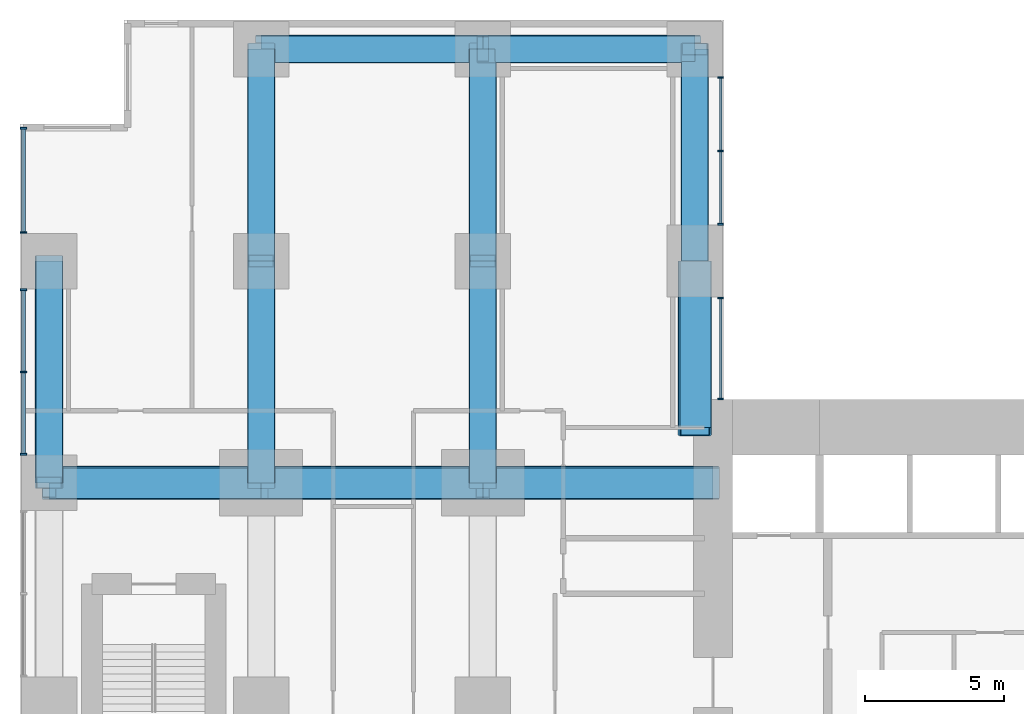
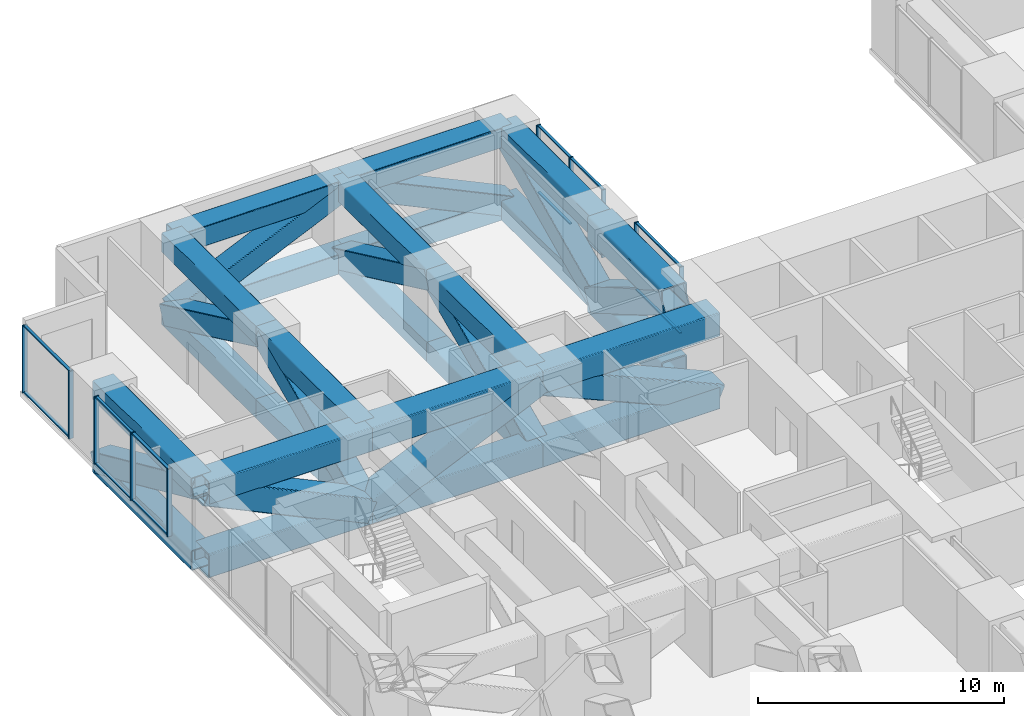
# One storey, part 5 of 15: 58 members, 4 elements without a shape of their own.
"""IFC4 building model written with IfcOpenShell, lengths in metres."""

from ifc_helpers import new_model, si_unit, direction, frame, origin, origin_2d, place, context, subcontext, project, spatial, rectangle, hollow_rectangle, extrude, material, layer, layer_set, material_profile, profile_set, type_object, element, aggregate, save


model = new_model("IFC4")

# Units and contexts
model_context = context("Model", 3, precision=1e-05, world=origin(), true_north=direction((0.0, 1.0)))
body_context = subcontext(model_context, "Body", "Model", "MODEL_VIEW")
ifc_project = project(units=[si_unit("LENGTHUNIT", "METRE"), si_unit("AREAUNIT", "SQUARE_METRE"), si_unit("VOLUMEUNIT", "CUBIC_METRE"), si_unit("PLANEANGLEUNIT", "RADIAN"), si_unit("MASSUNIT", "GRAM", prefix="KILO")], contexts=[model_context])

# Site, building, storey
site_placement = place(None, origin())
site = spatial("IfcSite", under=ifc_project, at=site_placement, CompositionType="ELEMENT")
building_placement = place(site_placement, origin())
building = spatial("IfcBuilding", under=site, at=building_placement, Name="Cleftline Residences", CompositionType="ELEMENT")
storey_placement = place(building_placement, frame((0.0, 0.0, 132.199951171875)))
storey = spatial("IfcBuildingStorey", under=building, at=storey_placement, Name="L34", CompositionType="ELEMENT", Elevation=132.199951171875)

# Members
ifc_material_1 = material(Name="Steel S355", Category="steel")
ifc_material_profile_1 = material_profile(ifc_material_1, hollow_rectangle(XDim=1.0, YDim=1.0, WallThickness=0.0400390625, InnerFilletRadius=0.0400390625, OuterFilletRadius=0.06005859375, at=origin_2d()))
ifc_profile_set_1 = profile_set([ifc_material_profile_1], Name="Steel S355")
member_type_1 = type_object("IfcMemberType", Name="BRACE BOX 1000X1000X40", PredefinedType="BRACE", material=ifc_profile_set_1)
for number, where, z_axis, x_axis, name in (
    (1, (0.35009765625, 32.0, 2.85009765625), (0.0, 0.91191733938, -0.410373934525), (0.0, 0.410373934525, 0.91191733938), "Belt truss diagonal"),
    (2, (8.0, 32.0, -0.75), (0.0, 0.91191733938, 0.410373934525), (0.0, -0.410373934525, 0.91191733938), "Belt truss diagonal"),
):
    element("IfcMember", number, at=place(storey_placement, frame(where, z_axis=z_axis, x_axis=x_axis)), inside=storey, type_object=member_type_1, Name=name, PredefinedType="BRACE", context=body_context, shape_type="SweptSolid", body=[
        extrude(hollow_rectangle(XDim=1.0, YDim=1.0, WallThickness=0.0400390625, InnerFilletRadius=0.0400390625, OuterFilletRadius=0.06005859375, at=origin_2d()), origin(), (0.0, 0.0, 1.0), 8.772705078125),
    ])
member_1_placement = place(storey_placement, frame((8.0, 40.0, 2.85009765625), z_axis=(0.0, 0.904812157874, -0.425810942746), x_axis=(0.0, 0.425810942746, 0.904812157874)))
element("IfcMember", 3, at=member_1_placement, inside=storey, type_object=member_type_1, Name="Belt truss diagonal", PredefinedType="BRACE", context=body_context, shape_type="SweptSolid", body=[
    extrude(hollow_rectangle(XDim=1.0, YDim=1.0, WallThickness=0.0400390625, InnerFilletRadius=0.0400390625, OuterFilletRadius=0.06005859375, at=origin_2d()), origin(), (0.0, 0.0, 1.0), 8.45458984375),
])
member_2_placement = place(storey_placement, frame((16.0, 32.0, -0.75), z_axis=(0.0, 0.91191733938, 0.410373934525), x_axis=(0.0, -0.410373934525, 0.91191733938)))
element("IfcMember", 4, at=member_2_placement, inside=storey, type_object=member_type_1, Name="Belt truss diagonal", PredefinedType="BRACE", context=body_context, shape_type="SweptSolid", body=[
    extrude(hollow_rectangle(XDim=1.0, YDim=1.0, WallThickness=0.0400390625, InnerFilletRadius=0.0400390625, OuterFilletRadius=0.06005859375, at=origin_2d()), origin(), (0.0, 0.0, 1.0), 8.772705078125),
])
for number, where, z_axis, x_axis, name in (
    (5, (16.0, 40.0, 2.85009765625), (0.0, 0.904812157874, -0.425810942746), (0.0, 0.425810942746, 0.904812157874), "Belt truss diagonal"),
    (6, (23.64990234375, 40.0, -0.75), (0.0, 0.904812157874, 0.425810942746), (0.0, -0.425810942746, 0.904812157874), "Belt truss diagonal"),
):
    element("IfcMember", number, at=place(storey_placement, frame(where, z_axis=z_axis, x_axis=x_axis)), inside=storey, type_object=member_type_1, Name=name, PredefinedType="BRACE", context=body_context, shape_type="SweptSolid", body=[
        extrude(hollow_rectangle(XDim=1.0, YDim=1.0, WallThickness=0.0400390625, InnerFilletRadius=0.0400390625, OuterFilletRadius=0.06005859375, at=origin_2d()), origin(), (0.0, 0.0, 1.0), 8.45458984375),
    ])
member_3_placement = place(storey_placement, frame((8.0, 47.64990234375, -0.75), z_axis=(0.91191733938, 0.0, 0.410373934525), x_axis=(-0.410373934525, 0.0, 0.91191733938)))
element("IfcMember", 7, at=member_3_placement, inside=storey, type_object=member_type_1, Name="Belt truss diagonal", PredefinedType="BRACE", context=body_context, shape_type="SweptSolid", body=[
    extrude(hollow_rectangle(XDim=1.0, YDim=1.0, WallThickness=0.0400390625, InnerFilletRadius=0.0400390625, OuterFilletRadius=0.06005859375, at=origin_2d()), origin(), (0.0, 0.0, 1.0), 8.772705078125),
])
member_4_placement = place(storey_placement, frame((16.0, 47.64990234375, 2.85009765625), z_axis=(0.904812157874, 0.0, -0.425810942746), x_axis=(0.425810942746, 0.0, 0.904812157874)))
element("IfcMember", 8, at=member_4_placement, inside=storey, type_object=member_type_1, Name="Belt truss diagonal", PredefinedType="BRACE", context=body_context, shape_type="SweptSolid", body=[
    extrude(hollow_rectangle(XDim=1.0, YDim=1.0, WallThickness=0.0400390625, InnerFilletRadius=0.0400390625, OuterFilletRadius=0.06005859375, at=origin_2d()), origin(), (0.0, 0.0, 1.0), 8.45458984375),
])
ifc_material_2 = material(Name="Steel S355", Category="steel")
ifc_material_profile_2 = material_profile(ifc_material_2, hollow_rectangle(XDim=1.199951171875, YDim=1.199951171875, WallThickness=0.06005859375, InnerFilletRadius=0.06005859375, OuterFilletRadius=0.090087890625, at=origin_2d()))
ifc_profile_set_2 = profile_set([ifc_material_profile_2], Name="Steel S355")
member_type_2 = type_object("IfcMemberType", Name="BRACE BOX 1200X1200X60", PredefinedType="BRACE", material=ifc_profile_set_2)
member_5_placement = place(storey_placement, frame((24.300048828125, 32.0, -0.849853515625), z_axis=(-0.917427920438, 0.0, 0.397902011556), x_axis=(0.397902011556, 0.0, 0.917427920438)))
element("IfcMember", 9, at=member_5_placement, inside=storey, type_object=member_type_2, Name="Outrigger truss diagonal", PredefinedType="BRACE", context=body_context, shape_type="SweptSolid", body=[
    extrude(hollow_rectangle(XDim=1.199951171875, YDim=1.199951171875, WallThickness=0.06005859375, InnerFilletRadius=0.06005859375, OuterFilletRadius=0.090087890625, at=origin_2d()), origin(), (0.0, 0.0, 1.0), 9.047119140625),
])
member_6_placement = place(storey_placement, frame((16.0, 32.0, 2.75), z_axis=(-0.911927753762, 0.0, -0.410350791297), x_axis=(-0.410350791297, 0.0, 0.911927753762)))
element("IfcMember", 10, at=member_6_placement, inside=storey, type_object=member_type_2, Name="Outrigger truss diagonal", PredefinedType="BRACE", context=body_context, shape_type="SweptSolid", body=[
    extrude(hollow_rectangle(XDim=1.199951171875, YDim=1.199951171875, WallThickness=0.06005859375, InnerFilletRadius=0.06005859375, OuterFilletRadius=0.090087890625, at=origin_2d()), origin(), (0.0, 0.0, 1.0), 8.772705078125),
])
member_7_placement = place(storey_placement, frame((8.0, 32.0, -0.849853515625), z_axis=(-0.904823283159, 0.0, 0.425787301659), x_axis=(0.425787301659, 0.0, 0.904823283159)))
element("IfcMember", 11, at=member_7_placement, inside=storey, type_object=member_type_2, Name="Outrigger truss diagonal", PredefinedType="BRACE", context=body_context, shape_type="SweptSolid", body=[
    extrude(hollow_rectangle(XDim=1.199951171875, YDim=1.199951171875, WallThickness=0.06005859375, InnerFilletRadius=0.06005859375, OuterFilletRadius=0.090087890625, at=origin_2d()), origin(), (0.0, 0.0, 1.0), 8.45458984375),
])
member_8_placement = place(storey_placement, frame((23.64990234375, 40.0, -0.849853515625), z_axis=(0.0, -0.857502161653, 0.51448036188), x_axis=(0.0, 0.51448036188, 0.857502161653)))
element("IfcMember", 12, at=member_8_placement, inside=storey, type_object=member_type_2, Name="Outrigger truss diagonal", PredefinedType="BRACE", context=body_context, shape_type="SweptSolid", body=[
    extrude(hollow_rectangle(XDim=1.199951171875, YDim=1.199951171875, WallThickness=0.06005859375, InnerFilletRadius=0.06005859375, OuterFilletRadius=0.090087890625, at=origin_2d()), origin(), (0.0, 0.0, 1.0), 6.9970703125),
])
ifc_material_3 = material(Name="Steel S355", Category="steel")
ifc_material_profile_3 = material_profile(ifc_material_3, hollow_rectangle(XDim=1.0, YDim=1.0, WallThickness=0.0400390625, InnerFilletRadius=0.0400390625, OuterFilletRadius=0.06005859375, at=origin_2d()))
ifc_profile_set_3 = profile_set([ifc_material_profile_3], Name="Steel S355")
member_type_3 = type_object("IfcMemberType", Name="CHORD BOX 1000X1000X40", PredefinedType="CHORD", material=ifc_profile_set_3)
for number, where, z_axis, x_axis, name in (
    (13, (0.35009765625, 32.0, -0.75), (0.0, 1.0, 0.0), (-1.0, 0.0, 0.0), "Belt truss bottom chord"),
    (14, (0.35009765625, 32.0, 2.85009765625), (0.0, 1.0, 0.0), (-1.0, 0.0, 0.0), "Belt truss top chord"),
    (15, (8.0, 32.0, -0.75), (0.0, 1.0, 0.0), (-1.0, 0.0, 0.0), "Belt truss bottom chord"),
    (16, (8.0, 32.0, 2.85009765625), (0.0, 1.0, 0.0), (-1.0, 0.0, 0.0), "Belt truss top chord"),
):
    element("IfcMember", number, at=place(storey_placement, frame(where, z_axis=z_axis, x_axis=x_axis)), inside=storey, type_object=member_type_3, Name=name, PredefinedType="CHORD", context=body_context, shape_type="SweptSolid", body=[
        extrude(hollow_rectangle(XDim=1.0, YDim=1.0, WallThickness=0.0400390625, InnerFilletRadius=0.0400390625, OuterFilletRadius=0.06005859375, at=origin_2d()), origin(), (0.0, 0.0, 1.0), 8.0),
    ])
for number, where, z_axis, x_axis, name in (
    (17, (8.0, 40.0, -0.75), (0.0, 1.0, 0.0), (-1.0, 0.0, 0.0), "Belt truss bottom chord"),
    (18, (8.0, 40.0, 2.85009765625), (0.0, 1.0, 0.0), (-1.0, 0.0, 0.0), "Belt truss top chord"),
):
    element("IfcMember", number, at=place(storey_placement, frame(where, z_axis=z_axis, x_axis=x_axis)), inside=storey, type_object=member_type_3, Name=name, PredefinedType="CHORD", context=body_context, shape_type="SweptSolid", body=[
        extrude(hollow_rectangle(XDim=1.0, YDim=1.0, WallThickness=0.0400390625, InnerFilletRadius=0.0400390625, OuterFilletRadius=0.06005859375, at=origin_2d()), origin(), (0.0, 0.0, 1.0), 7.64990234375),
    ])
for number, where, z_axis, x_axis, name in (
    (19, (16.0, 32.0, -0.75), (0.0, 1.0, 0.0), (-1.0, 0.0, 0.0), "Belt truss bottom chord"),
    (20, (16.0, 32.0, 2.85009765625), (0.0, 1.0, 0.0), (-1.0, 0.0, 0.0), "Belt truss top chord"),
):
    element("IfcMember", number, at=place(storey_placement, frame(where, z_axis=z_axis, x_axis=x_axis)), inside=storey, type_object=member_type_3, Name=name, PredefinedType="CHORD", context=body_context, shape_type="SweptSolid", body=[
        extrude(hollow_rectangle(XDim=1.0, YDim=1.0, WallThickness=0.0400390625, InnerFilletRadius=0.0400390625, OuterFilletRadius=0.06005859375, at=origin_2d()), origin(), (0.0, 0.0, 1.0), 8.0),
    ])
for number, where, z_axis, x_axis, name in (
    (21, (16.0, 40.0, -0.75), (0.0, 1.0, 0.0), (-1.0, 0.0, 0.0), "Belt truss bottom chord"),
    (22, (16.0, 40.0, 2.85009765625), (0.0, 1.0, 0.0), (-1.0, 0.0, 0.0), "Belt truss top chord"),
    (23, (23.64990234375, 40.0, -0.75), (0.0, 1.0, 0.0), (-1.0, 0.0, 0.0), "Belt truss bottom chord"),
    (24, (23.64990234375, 40.0, 2.85009765625), (0.0, 1.0, 0.0), (-1.0, 0.0, 0.0), "Belt truss top chord"),
):
    element("IfcMember", number, at=place(storey_placement, frame(where, z_axis=z_axis, x_axis=x_axis)), inside=storey, type_object=member_type_3, Name=name, PredefinedType="CHORD", context=body_context, shape_type="SweptSolid", body=[
        extrude(hollow_rectangle(XDim=1.0, YDim=1.0, WallThickness=0.0400390625, InnerFilletRadius=0.0400390625, OuterFilletRadius=0.06005859375, at=origin_2d()), origin(), (0.0, 0.0, 1.0), 7.64990234375),
    ])
for number, where, z_axis, x_axis, name in (
    (25, (8.0, 47.64990234375, -0.75), (1.0, 0.0, 0.0), (0.0, 1.0, 0.0), "Belt truss bottom chord"),
    (26, (8.0, 47.64990234375, 2.85009765625), (1.0, 0.0, 0.0), (0.0, 1.0, 0.0), "Belt truss top chord"),
):
    element("IfcMember", number, at=place(storey_placement, frame(where, z_axis=z_axis, x_axis=x_axis)), inside=storey, type_object=member_type_3, Name=name, PredefinedType="CHORD", context=body_context, shape_type="SweptSolid", body=[
        extrude(hollow_rectangle(XDim=1.0, YDim=1.0, WallThickness=0.0400390625, InnerFilletRadius=0.0400390625, OuterFilletRadius=0.06005859375, at=origin_2d()), origin(), (0.0, 0.0, 1.0), 8.0),
    ])
for number, where, z_axis, x_axis, name in (
    (27, (16.0, 47.64990234375, -0.75), (1.0, 0.0, 0.0), (0.0, 1.0, 0.0), "Belt truss bottom chord"),
    (28, (16.0, 47.64990234375, 2.85009765625), (1.0, 0.0, 0.0), (0.0, 1.0, 0.0), "Belt truss top chord"),
):
    element("IfcMember", number, at=place(storey_placement, frame(where, z_axis=z_axis, x_axis=x_axis)), inside=storey, type_object=member_type_3, Name=name, PredefinedType="CHORD", context=body_context, shape_type="SweptSolid", body=[
        extrude(hollow_rectangle(XDim=1.0, YDim=1.0, WallThickness=0.0400390625, InnerFilletRadius=0.0400390625, OuterFilletRadius=0.06005859375, at=origin_2d()), origin(), (0.0, 0.0, 1.0), 7.64990234375),
    ])
ifc_material_4 = material(Name="Steel S355", Category="steel")
ifc_material_profile_4 = material_profile(ifc_material_4, hollow_rectangle(XDim=1.199951171875, YDim=1.199951171875, WallThickness=0.06005859375, InnerFilletRadius=0.06005859375, OuterFilletRadius=0.090087890625, at=origin_2d()))
ifc_profile_set_4 = profile_set([ifc_material_profile_4], Name="Steel S355")
member_type_4 = type_object("IfcMemberType", Name="CHORD BOX 1200X1200X60", PredefinedType="CHORD", material=ifc_profile_set_4)
for number, where, z_axis, x_axis, name in (
    (29, (24.300048828125, 32.0, -0.849853515625), (-1.0, 0.0, 0.0), (0.0, -1.0, 0.0), "Outrigger truss bottom chord"),
    (30, (24.300048828125, 32.0, 2.75), (-1.0, 0.0, 0.0), (0.0, -1.0, 0.0), "Outrigger truss top chord"),
):
    element("IfcMember", number, at=place(storey_placement, frame(where, z_axis=z_axis, x_axis=x_axis)), inside=storey, type_object=member_type_4, Name=name, PredefinedType="CHORD", context=body_context, shape_type="SweptSolid", body=[
        extrude(hollow_rectangle(XDim=1.199951171875, YDim=1.199951171875, WallThickness=0.06005859375, InnerFilletRadius=0.06005859375, OuterFilletRadius=0.090087890625, at=origin_2d()), origin(), (0.0, 0.0, 1.0), 8.300048828125),
    ])
for number, where, z_axis, x_axis, name in (
    (31, (16.0, 32.0, -0.849853515625), (-1.0, 0.0, 0.0), (0.0, -1.0, 0.0), "Outrigger truss bottom chord"),
    (32, (16.0, 32.0, 2.75), (-1.0, 0.0, 0.0), (0.0, -1.0, 0.0), "Outrigger truss top chord"),
):
    element("IfcMember", number, at=place(storey_placement, frame(where, z_axis=z_axis, x_axis=x_axis)), inside=storey, type_object=member_type_4, Name=name, PredefinedType="CHORD", context=body_context, shape_type="SweptSolid", body=[
        extrude(hollow_rectangle(XDim=1.199951171875, YDim=1.199951171875, WallThickness=0.06005859375, InnerFilletRadius=0.06005859375, OuterFilletRadius=0.090087890625, at=origin_2d()), origin(), (0.0, 0.0, 1.0), 8.0),
    ])
for number, where, z_axis, x_axis, name in (
    (33, (8.0, 32.0, -0.849853515625), (-1.0, 0.0, 0.0), (0.0, -1.0, 0.0), "Outrigger truss bottom chord"),
    (34, (8.0, 32.0, 2.75), (-1.0, 0.0, 0.0), (0.0, -1.0, 0.0), "Outrigger truss top chord"),
):
    element("IfcMember", number, at=place(storey_placement, frame(where, z_axis=z_axis, x_axis=x_axis)), inside=storey, type_object=member_type_4, Name=name, PredefinedType="CHORD", context=body_context, shape_type="SweptSolid", body=[
        extrude(hollow_rectangle(XDim=1.199951171875, YDim=1.199951171875, WallThickness=0.06005859375, InnerFilletRadius=0.06005859375, OuterFilletRadius=0.090087890625, at=origin_2d()), origin(), (0.0, 0.0, 1.0), 7.64990234375),
    ])
for number, where, z_axis, x_axis, name in (
    (35, (23.64990234375, 40.0, -0.849853515625), (0.0, -1.0, 0.0), (1.0, 0.0, 0.0), "Outrigger truss bottom chord"),
    (36, (23.64990234375, 40.0, 2.75), (0.0, -1.0, 0.0), (1.0, 0.0, 0.0), "Outrigger truss top chord"),
):
    element("IfcMember", number, at=place(storey_placement, frame(where, z_axis=z_axis, x_axis=x_axis)), inside=storey, type_object=member_type_4, Name=name, PredefinedType="CHORD", context=body_context, shape_type="SweptSolid", body=[
        extrude(hollow_rectangle(XDim=1.199951171875, YDim=1.199951171875, WallThickness=0.06005859375, InnerFilletRadius=0.06005859375, OuterFilletRadius=0.090087890625, at=origin_2d()), origin(), (0.0, 0.0, 1.0), 6.0),
    ])

# Curtain wall, members
ifc_material_5 = material(Name="Aluminium framed curtain wall", Category="aluminium")
ifc_layer_1 = layer(ifc_material_5, 0.199951171875)
ifc_layer_set_1 = layer_set([ifc_layer_1], Name="CW1 CLEFT GLAZING")
curtain_wall_type_1 = type_object("IfcCurtainWallType", Name="CW1 CLEFT GLAZING", PredefinedType="NOTDEFINED", material=ifc_layer_set_1)
curtain_wall_1_placement = place(storey_placement, origin())
curtain_wall_1 = element("IfcCurtainWall", 37, at=curtain_wall_1_placement, inside=storey, type_object=curtain_wall_type_1, Name="Curtain wall CW1", PredefinedType="NOTDEFINED")
ifc_material_6 = material(Name="Aluminium mullion", Category="aluminium")
ifc_material_profile_5 = material_profile(ifc_material_6, rectangle(XDim=0.199951171875, YDim=0.06005859375, at=origin_2d()))
ifc_profile_set_5 = profile_set([ifc_material_profile_5], Name="Aluminium mullion")
member_type_5 = type_object("IfcMemberType", Name="CW1 MULLION", PredefinedType="MULLION", material=ifc_profile_set_5)
member_9_placement = place(storey_placement, frame((24.574951171875, 35.030029296875, 0.0), z_axis=(0.0, 0.0, 1.0), x_axis=(-1.0, 0.0, 0.0)))
member_9 = element("IfcMember", 38, at=member_9_placement, type_object=member_type_5, Name="CW1 mullion 1", PredefinedType="MULLION", context=body_context, shape_type="SweptSolid", body=[
    extrude(rectangle(XDim=0.199951171875, YDim=0.06005859375, at=origin_2d()), origin(), (0.0, 0.0, 1.0), 3.35009765625),
])
member_10_placement = place(storey_placement, frame((24.574951171875, 38.669921875, 0.0), z_axis=(0.0, 0.0, 1.0), x_axis=(-1.0, 0.0, 0.0)))
member_10 = element("IfcMember", 39, at=member_10_placement, type_object=member_type_5, Name="CW1 mullion 2", PredefinedType="MULLION", context=body_context, shape_type="SweptSolid", body=[
    extrude(rectangle(XDim=0.199951171875, YDim=0.06005859375, at=origin_2d()), origin(), (0.0, 0.0, 1.0), 3.35009765625),
])

curtain_wall_2_placement = place(storey_placement, origin())
curtain_wall_2 = element("IfcCurtainWall", 40, at=curtain_wall_2_placement, inside=storey, type_object=curtain_wall_type_1, Name="Curtain wall CW1", PredefinedType="NOTDEFINED")
member_11_placement = place(storey_placement, frame((24.574951171875, 41.330078125, 0.0), z_axis=(0.0, 0.0, 1.0), x_axis=(-1.0, 0.0, 0.0)))
member_11 = element("IfcMember", 41, at=member_11_placement, type_object=member_type_5, Name="CW1 mullion 1", PredefinedType="MULLION", context=body_context, shape_type="SweptSolid", body=[
    extrude(rectangle(XDim=0.199951171875, YDim=0.06005859375, at=origin_2d()), origin(), (0.0, 0.0, 1.0), 3.35009765625),
])
member_12_placement = place(storey_placement, frame((24.574951171875, 43.97509765625, 0.0), z_axis=(0.0, 0.0, 1.0), x_axis=(-1.0, 0.0, 0.0)))
member_12 = element("IfcMember", 42, at=member_12_placement, type_object=member_type_5, Name="CW1 mullion 2", PredefinedType="MULLION", context=body_context, shape_type="SweptSolid", body=[
    extrude(rectangle(XDim=0.199951171875, YDim=0.06005859375, at=origin_2d()), origin(), (0.0, 0.0, 1.0), 3.35009765625),
])
member_13_placement = place(storey_placement, frame((24.574951171875, 46.6201171875, 0.0), z_axis=(0.0, 0.0, 1.0), x_axis=(-1.0, 0.0, 0.0)))
member_13 = element("IfcMember", 43, at=member_13_placement, type_object=member_type_5, Name="CW1 mullion 3", PredefinedType="MULLION", context=body_context, shape_type="SweptSolid", body=[
    extrude(rectangle(XDim=0.199951171875, YDim=0.06005859375, at=origin_2d()), origin(), (0.0, 0.0, 1.0), 3.35009765625),
])

# Member
ifc_material_7 = material(Name="Aluminium transom", Category="aluminium")
ifc_material_profile_6 = material_profile(ifc_material_7, rectangle(XDim=0.1201171875, YDim=0.06005859375, at=origin_2d()))
ifc_profile_set_6 = profile_set([ifc_material_profile_6], Name="Aluminium transom")
member_type_6 = type_object("IfcMemberType", Name="CW1 TRANSOM", PredefinedType="USERDEFINED", material=ifc_profile_set_6)
member_14_placement = place(storey_placement, frame((24.574951171875, 35.06005859375, 0.030029296875), z_axis=(0.0, 1.0, 0.0), x_axis=(-1.0, 0.0, 0.0)))
member_14 = element("IfcMember", 44, at=member_14_placement, type_object=member_type_6, Name="CW1 transom 1.1", ObjectType="TRANSOM", PredefinedType="USERDEFINED", context=body_context, shape_type="SweptSolid", body=[
    extrude(rectangle(XDim=0.1201171875, YDim=0.06005859375, at=origin_2d()), origin(), (0.0, 0.0, 1.0), 3.579833984375),
])

member_15_placement = place(storey_placement, frame((24.574951171875, 35.06005859375, 3.320068359375), z_axis=(0.0, 1.0, 0.0), x_axis=(-1.0, 0.0, 0.0)))
member_15 = element("IfcMember", 45, at=member_15_placement, type_object=member_type_6, Name="CW1 transom 1.2", ObjectType="TRANSOM", PredefinedType="USERDEFINED", context=body_context, shape_type="SweptSolid", body=[
    extrude(rectangle(XDim=0.1201171875, YDim=0.06005859375, at=origin_2d()), origin(), (0.0, 0.0, 1.0), 3.579833984375),
])

aggregate(curtain_wall_1, [member_9, member_10, member_14, member_15])

member_16_placement = place(storey_placement, frame((24.574951171875, 41.360107421875, 0.030029296875), z_axis=(0.0, 1.0, 0.0), x_axis=(-1.0, 0.0, 0.0)))
member_16 = element("IfcMember", 46, at=member_16_placement, type_object=member_type_6, Name="CW1 transom 1.1", ObjectType="TRANSOM", PredefinedType="USERDEFINED", context=body_context, shape_type="SweptSolid", body=[
    extrude(rectangle(XDim=0.1201171875, YDim=0.06005859375, at=origin_2d()), origin(), (0.0, 0.0, 1.0), 2.5849609375),
])

member_17_placement = place(storey_placement, frame((24.574951171875, 41.360107421875, 3.320068359375), z_axis=(0.0, 1.0, 0.0), x_axis=(-1.0, 0.0, 0.0)))
member_17 = element("IfcMember", 47, at=member_17_placement, type_object=member_type_6, Name="CW1 transom 1.2", ObjectType="TRANSOM", PredefinedType="USERDEFINED", context=body_context, shape_type="SweptSolid", body=[
    extrude(rectangle(XDim=0.1201171875, YDim=0.06005859375, at=origin_2d()), origin(), (0.0, 0.0, 1.0), 2.5849609375),
])

member_18_placement = place(storey_placement, frame((24.574951171875, 44.0048828125, 0.030029296875), z_axis=(0.0, 1.0, 0.0), x_axis=(-1.0, 0.0, 0.0)))
member_18 = element("IfcMember", 48, at=member_18_placement, type_object=member_type_6, Name="CW1 transom 2.1", ObjectType="TRANSOM", PredefinedType="USERDEFINED", context=body_context, shape_type="SweptSolid", body=[
    extrude(rectangle(XDim=0.1201171875, YDim=0.06005859375, at=origin_2d()), origin(), (0.0, 0.0, 1.0), 2.585205078125),
])

member_19_placement = place(storey_placement, frame((24.574951171875, 44.0048828125, 3.320068359375), z_axis=(0.0, 1.0, 0.0), x_axis=(-1.0, 0.0, 0.0)))
member_19 = element("IfcMember", 49, at=member_19_placement, type_object=member_type_6, Name="CW1 transom 2.2", ObjectType="TRANSOM", PredefinedType="USERDEFINED", context=body_context, shape_type="SweptSolid", body=[
    extrude(rectangle(XDim=0.1201171875, YDim=0.06005859375, at=origin_2d()), origin(), (0.0, 0.0, 1.0), 2.585205078125),
])

aggregate(curtain_wall_2, [member_11, member_12, member_13, member_16, member_17, member_18, member_19])

# Curtain wall, members
ifc_material_8 = material(Name="Aluminium framed curtain wall", Category="aluminium")
ifc_layer_2 = layer(ifc_material_8, 0.199951171875)
ifc_layer_set_2 = layer_set([ifc_layer_2], Name="CW4 SKY LOUNGE GLAZING")
curtain_wall_type_2 = type_object("IfcCurtainWallType", Name="CW4 SKY LOUNGE GLAZING", PredefinedType="NOTDEFINED", material=ifc_layer_set_2)
curtain_wall_3_placement = place(storey_placement, origin())
curtain_wall_3 = element("IfcCurtainWall", 50, at=curtain_wall_3_placement, inside=storey, type_object=curtain_wall_type_2, Name="Curtain wall CW4", PredefinedType="NOTDEFINED")
ifc_material_9 = material(Name="Aluminium mullion", Category="aluminium")
ifc_material_profile_7 = material_profile(ifc_material_9, rectangle(XDim=0.219970703125, YDim=0.06494140625, at=origin_2d()))
ifc_profile_set_7 = profile_set([ifc_material_profile_7], Name="Aluminium mullion")
member_type_7 = type_object("IfcMemberType", Name="CW4 MULLION", PredefinedType="MULLION", material=ifc_profile_set_7)
member_20_placement = place(storey_placement, frame((-0.574951171875, 44.79248046875, 0.0), z_axis=(0.0, 0.0, 1.0), x_axis=(1.0, 0.0, 0.0)))
member_20 = element("IfcMember", 51, at=member_20_placement, type_object=member_type_7, Name="CW4 mullion 1", PredefinedType="MULLION", context=body_context, shape_type="SweptSolid", body=[
    extrude(rectangle(XDim=0.219970703125, YDim=0.06494140625, at=origin_2d()), origin(), (0.0, 0.0, 1.0), 3.35009765625),
])
member_21_placement = place(storey_placement, frame((-0.574951171875, 41.032470703125, 0.0), z_axis=(0.0, 0.0, 1.0), x_axis=(1.0, 0.0, 0.0)))
member_21 = element("IfcMember", 52, at=member_21_placement, type_object=member_type_7, Name="CW4 mullion 2", PredefinedType="MULLION", context=body_context, shape_type="SweptSolid", body=[
    extrude(rectangle(XDim=0.219970703125, YDim=0.06494140625, at=origin_2d()), origin(), (0.0, 0.0, 1.0), 3.35009765625),
])

curtain_wall_4_placement = place(storey_placement, origin())
curtain_wall_4 = element("IfcCurtainWall", 53, at=curtain_wall_4_placement, inside=storey, type_object=curtain_wall_type_2, Name="Curtain wall CW4", PredefinedType="NOTDEFINED")
member_22_placement = place(storey_placement, frame((-0.574951171875, 38.967529296875, 0.0), z_axis=(0.0, 0.0, 1.0), x_axis=(1.0, 0.0, 0.0)))
member_22 = element("IfcMember", 54, at=member_22_placement, type_object=member_type_7, Name="CW4 mullion 1", PredefinedType="MULLION", context=body_context, shape_type="SweptSolid", body=[
    extrude(rectangle(XDim=0.219970703125, YDim=0.06494140625, at=origin_2d()), origin(), (0.0, 0.0, 1.0), 3.35009765625),
])
member_23_placement = place(storey_placement, frame((-0.574951171875, 36.0, 0.0), z_axis=(0.0, 0.0, 1.0), x_axis=(1.0, 0.0, 0.0)))
member_23 = element("IfcMember", 55, at=member_23_placement, type_object=member_type_7, Name="CW4 mullion 2", PredefinedType="MULLION", context=body_context, shape_type="SweptSolid", body=[
    extrude(rectangle(XDim=0.219970703125, YDim=0.06494140625, at=origin_2d()), origin(), (0.0, 0.0, 1.0), 3.35009765625),
])
member_24_placement = place(storey_placement, frame((-0.574951171875, 33.032470703125, 0.0), z_axis=(0.0, 0.0, 1.0), x_axis=(1.0, 0.0, 0.0)))
member_24 = element("IfcMember", 56, at=member_24_placement, type_object=member_type_7, Name="CW4 mullion 3", PredefinedType="MULLION", context=body_context, shape_type="SweptSolid", body=[
    extrude(rectangle(XDim=0.219970703125, YDim=0.06494140625, at=origin_2d()), origin(), (0.0, 0.0, 1.0), 3.35009765625),
])

# Member
ifc_material_10 = material(Name="Aluminium transom", Category="aluminium")
ifc_material_profile_8 = material_profile(ifc_material_10, rectangle(XDim=0.132080078125, YDim=0.06494140625, at=origin_2d()))
ifc_profile_set_8 = profile_set([ifc_material_profile_8], Name="Aluminium transom")
member_type_8 = type_object("IfcMemberType", Name="CW4 TRANSOM", PredefinedType="USERDEFINED", material=ifc_profile_set_8)
member_25_placement = place(storey_placement, frame((-0.574951171875, 44.760009765625, 0.032470703125), z_axis=(0.0, -1.0, 0.0), x_axis=(1.0, 0.0, 0.0)))
member_25 = element("IfcMember", 57, at=member_25_placement, type_object=member_type_8, Name="CW4 transom 1.1", ObjectType="TRANSOM", PredefinedType="USERDEFINED", context=body_context, shape_type="SweptSolid", body=[
    extrude(rectangle(XDim=0.132080078125, YDim=0.06494140625, at=origin_2d()), origin(), (0.0, 0.0, 1.0), 3.695068359375),
])

member_26_placement = place(storey_placement, frame((-0.574951171875, 44.760009765625, 3.317626953125), z_axis=(0.0, -1.0, 0.0), x_axis=(1.0, 0.0, 0.0)))
member_26 = element("IfcMember", 58, at=member_26_placement, type_object=member_type_8, Name="CW4 transom 1.2", ObjectType="TRANSOM", PredefinedType="USERDEFINED", context=body_context, shape_type="SweptSolid", body=[
    extrude(rectangle(XDim=0.132080078125, YDim=0.06494140625, at=origin_2d()), origin(), (0.0, 0.0, 1.0), 3.695068359375),
])

aggregate(curtain_wall_3, [member_20, member_21, member_25, member_26])

member_27_placement = place(storey_placement, frame((-0.574951171875, 38.93505859375, 0.032470703125), z_axis=(0.0, -1.0, 0.0), x_axis=(1.0, 0.0, 0.0)))
member_27 = element("IfcMember", 59, at=member_27_placement, type_object=member_type_8, Name="CW4 transom 1.1", ObjectType="TRANSOM", PredefinedType="USERDEFINED", context=body_context, shape_type="SweptSolid", body=[
    extrude(rectangle(XDim=0.132080078125, YDim=0.06494140625, at=origin_2d()), origin(), (0.0, 0.0, 1.0), 2.902587890625),
])

member_28_placement = place(storey_placement, frame((-0.574951171875, 38.93505859375, 3.317626953125), z_axis=(0.0, -1.0, 0.0), x_axis=(1.0, 0.0, 0.0)))
member_28 = element("IfcMember", 60, at=member_28_placement, type_object=member_type_8, Name="CW4 transom 1.2", ObjectType="TRANSOM", PredefinedType="USERDEFINED", context=body_context, shape_type="SweptSolid", body=[
    extrude(rectangle(XDim=0.132080078125, YDim=0.06494140625, at=origin_2d()), origin(), (0.0, 0.0, 1.0), 2.902587890625),
])

member_29_placement = place(storey_placement, frame((-0.574951171875, 35.967529296875, 0.032470703125), z_axis=(0.0, -1.0, 0.0), x_axis=(1.0, 0.0, 0.0)))
member_29 = element("IfcMember", 61, at=member_29_placement, type_object=member_type_8, Name="CW4 transom 2.1", ObjectType="TRANSOM", PredefinedType="USERDEFINED", context=body_context, shape_type="SweptSolid", body=[
    extrude(rectangle(XDim=0.132080078125, YDim=0.06494140625, at=origin_2d()), origin(), (0.0, 0.0, 1.0), 2.902587890625),
])

member_30_placement = place(storey_placement, frame((-0.574951171875, 35.967529296875, 3.317626953125), z_axis=(0.0, -1.0, 0.0), x_axis=(1.0, 0.0, 0.0)))
member_30 = element("IfcMember", 62, at=member_30_placement, type_object=member_type_8, Name="CW4 transom 2.2", ObjectType="TRANSOM", PredefinedType="USERDEFINED", context=body_context, shape_type="SweptSolid", body=[
    extrude(rectangle(XDim=0.132080078125, YDim=0.06494140625, at=origin_2d()), origin(), (0.0, 0.0, 1.0), 2.902587890625),
])

aggregate(curtain_wall_4, [member_22, member_23, member_24, member_27, member_28, member_29, member_30])

save(model, "model.ifc")
